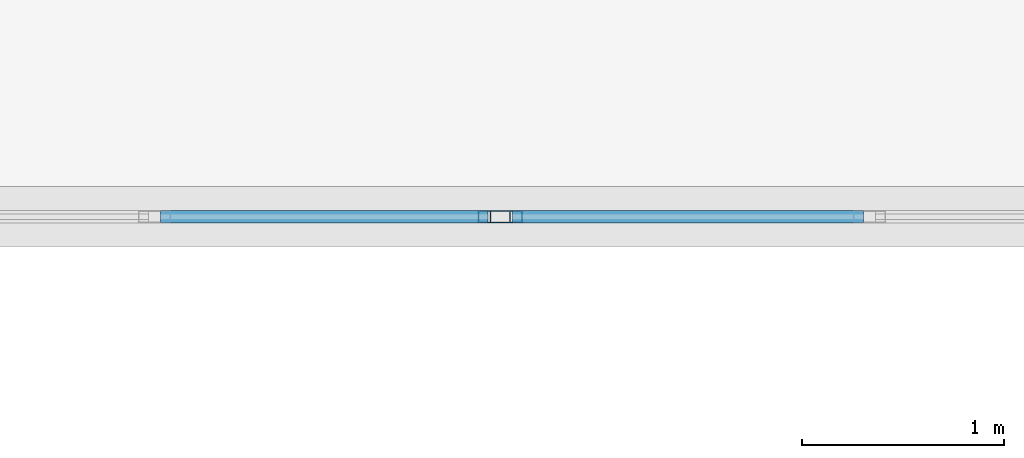
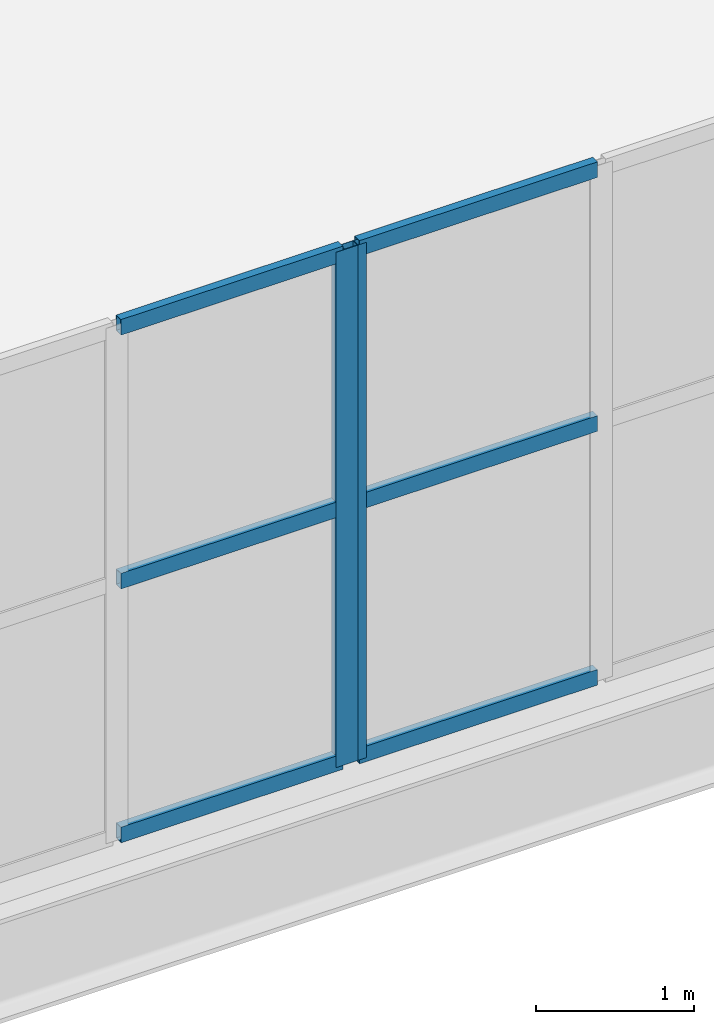
# One storey, part 63 of 138: 8 members, 2 elements without a shape of their own.
"""IFC4 building model written with IfcOpenShell, lengths in metres."""

from ifc_helpers import new_model, si_unit, direction, frame, origin, origin_2d, place, context, subcontext, project, spatial, hollow_rectangle, extrude, material, layer, layer_set, material_profile, profile_set, type_object, element, aggregate, save


model = new_model("IFC4")

# Units and contexts
model_context = context("Model", 3, precision=1e-05, world=origin(), true_north=direction((0.0, 1.0)))
body_context = subcontext(model_context, "Body", "Model", "MODEL_VIEW")
ifc_project = project(units=[si_unit("LENGTHUNIT", "METRE"), si_unit("AREAUNIT", "SQUARE_METRE"), si_unit("VOLUMEUNIT", "CUBIC_METRE"), si_unit("PLANEANGLEUNIT", "RADIAN"), si_unit("MASSUNIT", "GRAM", prefix="KILO")], contexts=[model_context])

# Site, building, storey
site_placement = place(None, origin())
site = spatial("IfcSite", under=ifc_project, at=site_placement, CompositionType="ELEMENT")
building_placement = place(site_placement, origin())
building = spatial("IfcBuilding", under=site, at=building_placement, Name="Vinh Khe Railworks Police Headquarters", CompositionType="ELEMENT")
storey_placement = place(building_placement, frame((0.0, 0.0, 9.0)))
storey = spatial("IfcBuildingStorey", under=building, at=storey_placement, Name="L02", CompositionType="ELEMENT", Elevation=9.0)

# Curtain wall, member
ifc_material_1 = material(Name="Anodised aluminium and solar-control glass", Category="aluminium")
ifc_layer = layer(ifc_material_1, 0.159912109375)
ifc_layer_set = layer_set([ifc_layer], Name="Anodised aluminium and solar-control glass")
curtain_wall_type = type_object("IfcCurtainWallType", Name="CW-SHOPFRONT", PredefinedType="USERDEFINED", material=ifc_layer_set)
curtain_wall_1_placement = place(storey_placement, origin())
curtain_wall_1 = element("IfcCurtainWall", 1, at=curtain_wall_1_placement, inside=storey, type_object=curtain_wall_type, Name="Link Bridge South Glazing L02 Bay 5", ObjectType="UNITISED GLAZING", PredefinedType="USERDEFINED")
ifc_material_2 = material(Name="Anodised aluminium 6063-T6", Category="aluminium")
ifc_material_profile_1 = material_profile(ifc_material_2, hollow_rectangle(XDim=0.06005859375, YDim=0.159912109375, WallThickness=0.00390625, at=origin_2d()), Name="CW-M 60x160x4")
ifc_profile_set_1 = profile_set([ifc_material_profile_1], Name="Anodised aluminium 6063-T6")
member_type_1 = type_object("IfcMemberType", Name="MULL-CWM-01", PredefinedType="MULLION", material=ifc_profile_set_1)
member_1_placement = place(storey_placement, frame((68.669921875, 96.0, 0.0), z_axis=(0.0, 0.0, 1.0), x_axis=(0.0, 1.0, 0.0)))
member_1 = element("IfcMember", 2, at=member_1_placement, type_object=member_type_1, Name="CW-03 mullion 6", PredefinedType="MULLION", context=body_context, shape_type="SweptSolid", body=[
    extrude(hollow_rectangle(XDim=0.06005859375, YDim=0.159912109375, WallThickness=0.00390625, at=origin_2d()), origin(), (0.0, 0.0, 1.0), 3.97998046875),
])

curtain_wall_2_placement = place(storey_placement, origin())
curtain_wall_2 = element("IfcCurtainWall", 3, at=curtain_wall_2_placement, inside=storey, type_object=curtain_wall_type, Name="Link Bridge South Glazing L02 Bay 6", ObjectType="UNITISED GLAZING", PredefinedType="USERDEFINED")
member_2_placement = place(storey_placement, frame((68.72998046875, 96.0, 0.0), z_axis=(0.0, 0.0, 1.0), x_axis=(0.0, 1.0, 0.0)))
member_2 = element("IfcMember", 4, at=member_2_placement, type_object=member_type_1, Name="CW-03 mullion 1", PredefinedType="MULLION", context=body_context, shape_type="SweptSolid", body=[
    extrude(hollow_rectangle(XDim=0.06005859375, YDim=0.159912109375, WallThickness=0.00390625, at=origin_2d()), origin(), (0.0, 0.0, 1.0), 3.97998046875),
])

# Member
ifc_material_profile_2 = material_profile(ifc_material_2, hollow_rectangle(XDim=0.06005859375, YDim=0.1201171875, WallThickness=0.00390625, at=origin_2d()), Name="CW-T 60x120x4")
ifc_profile_set_2 = profile_set([ifc_material_profile_2], Name="Anodised aluminium 6063-T6")
member_type_2 = type_object("IfcMemberType", Name="TRAN-CWT-01", PredefinedType="USERDEFINED", material=ifc_profile_set_2)
member_3_placement = place(storey_placement, frame((67.01806640625, 96.0, 0.030029296875), z_axis=(1.0, 0.0, 0.0), x_axis=(0.0, 1.0, 0.0)))
member_3 = element("IfcMember", 5, at=member_3_placement, type_object=member_type_2, Name="CW-03 transom 5.1", ObjectType="TRANSOM", PredefinedType="USERDEFINED", context=body_context, shape_type="SweptSolid", body=[
    extrude(hollow_rectangle(XDim=0.06005859375, YDim=0.1201171875, WallThickness=0.00390625, at=origin_2d()), origin(), (0.0, 0.0, 1.0), 1.621826171875),
])

member_4_placement = place(storey_placement, frame((67.01806640625, 96.0, 1.989990234375), z_axis=(1.0, 0.0, 0.0), x_axis=(0.0, 1.0, 0.0)))
member_4 = element("IfcMember", 6, at=member_4_placement, type_object=member_type_2, Name="CW-03 transom 5.2", ObjectType="TRANSOM", PredefinedType="USERDEFINED", context=body_context, shape_type="SweptSolid", body=[
    extrude(hollow_rectangle(XDim=0.06005859375, YDim=0.1201171875, WallThickness=0.00390625, at=origin_2d()), origin(), (0.0, 0.0, 1.0), 1.621826171875),
])

member_5_placement = place(storey_placement, frame((67.01806640625, 96.0, 3.949951171875), z_axis=(1.0, 0.0, 0.0), x_axis=(0.0, 1.0, 0.0)))
member_5 = element("IfcMember", 7, at=member_5_placement, type_object=member_type_2, Name="CW-03 transom 5.3", ObjectType="TRANSOM", PredefinedType="USERDEFINED", context=body_context, shape_type="SweptSolid", body=[
    extrude(hollow_rectangle(XDim=0.06005859375, YDim=0.1201171875, WallThickness=0.00390625, at=origin_2d()), origin(), (0.0, 0.0, 1.0), 1.621826171875),
])

aggregate(curtain_wall_1, [member_1, member_3, member_4, member_5])

member_6_placement = place(storey_placement, frame((68.760009765625, 96.0, 0.030029296875), z_axis=(1.0, 0.0, 0.0), x_axis=(0.0, 1.0, 0.0)))
member_6 = element("IfcMember", 8, at=member_6_placement, type_object=member_type_2, Name="CW-03 transom 1.1", ObjectType="TRANSOM", PredefinedType="USERDEFINED", context=body_context, shape_type="SweptSolid", body=[
    extrude(hollow_rectangle(XDim=0.06005859375, YDim=0.1201171875, WallThickness=0.00390625, at=origin_2d()), origin(), (0.0, 0.0, 1.0), 1.738037109375),
])

member_7_placement = place(storey_placement, frame((68.760009765625, 96.0, 1.989990234375), z_axis=(1.0, 0.0, 0.0), x_axis=(0.0, 1.0, 0.0)))
member_7 = element("IfcMember", 9, at=member_7_placement, type_object=member_type_2, Name="CW-03 transom 1.2", ObjectType="TRANSOM", PredefinedType="USERDEFINED", context=body_context, shape_type="SweptSolid", body=[
    extrude(hollow_rectangle(XDim=0.06005859375, YDim=0.1201171875, WallThickness=0.00390625, at=origin_2d()), origin(), (0.0, 0.0, 1.0), 1.738037109375),
])

member_8_placement = place(storey_placement, frame((68.760009765625, 96.0, 3.949951171875), z_axis=(1.0, 0.0, 0.0), x_axis=(0.0, 1.0, 0.0)))
member_8 = element("IfcMember", 10, at=member_8_placement, type_object=member_type_2, Name="CW-03 transom 1.3", ObjectType="TRANSOM", PredefinedType="USERDEFINED", context=body_context, shape_type="SweptSolid", body=[
    extrude(hollow_rectangle(XDim=0.06005859375, YDim=0.1201171875, WallThickness=0.00390625, at=origin_2d()), origin(), (0.0, 0.0, 1.0), 1.738037109375),
])

aggregate(curtain_wall_2, [member_2, member_6, member_7, member_8])

save(model, "model.ifc")
